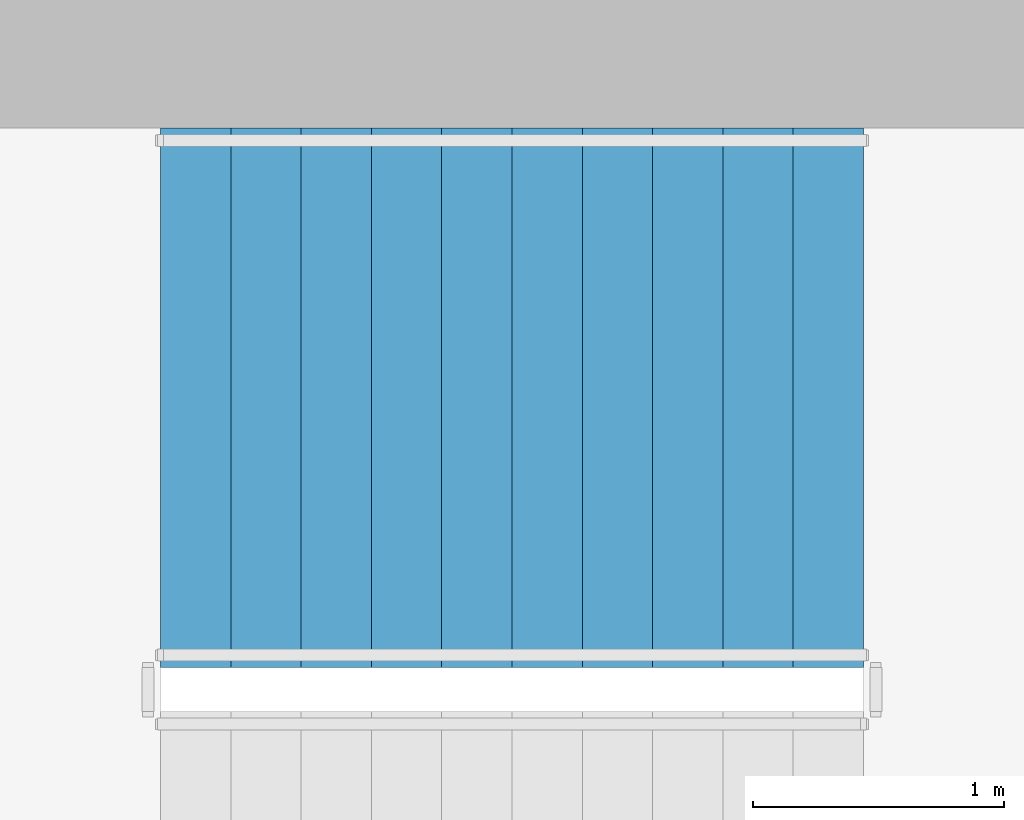
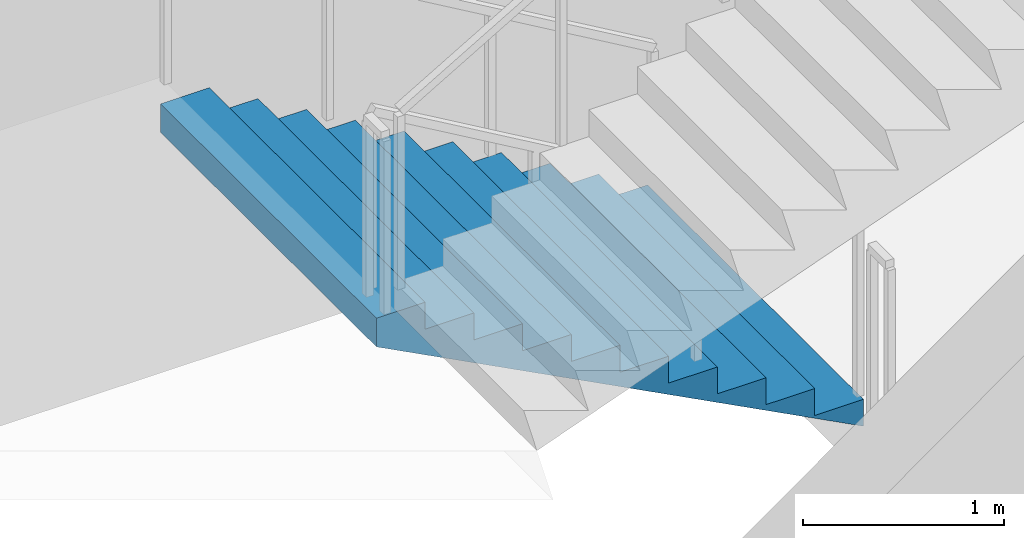
# One storey, part 12 of 20: 1 stair flight, 1 element without a shape of its own.
"""IFC4 building model written with IfcOpenShell, lengths in metres."""

from ifc_helpers import new_model, si_unit, direction, frame, origin, place, context, subcontext, project, spatial, triangles, material, type_object, element, aggregate, save


model = new_model("IFC4")

# Units and contexts
model_context = context("Model", 3, precision=1e-05, world=origin(), true_north=direction((0.0, 1.0)))
body_context = subcontext(model_context, "Body", "Model", "MODEL_VIEW")
ifc_project = project(units=[si_unit("LENGTHUNIT", "METRE"), si_unit("AREAUNIT", "SQUARE_METRE"), si_unit("VOLUMEUNIT", "CUBIC_METRE"), si_unit("PLANEANGLEUNIT", "RADIAN"), si_unit("MASSUNIT", "GRAM", prefix="KILO")], contexts=[model_context])

# Site, building, storey
site_placement = place(None, origin())
site = spatial("IfcSite", under=ifc_project, at=site_placement, CompositionType="ELEMENT")
building_placement = place(site_placement, origin())
building = spatial("IfcBuilding", under=site, at=building_placement, Name="Cypress Arch Tower", CompositionType="ELEMENT")
storey_placement = place(building_placement, frame((0.0, 0.0, 123.89990234375)))
storey = spatial("IfcBuildingStorey", under=building, at=storey_placement, Name="L26", CompositionType="ELEMENT", Elevation=123.89990234375)

# Stair, stair flight
ifc_material_1 = material(Name="Concrete C40/50", Category="concrete")
stair_type = type_object("IfcStairType", Name="Exit stair ES1636-215", PredefinedType="HALF_TURN_STAIR", material=ifc_material_1)
stair_placement = place(storey_placement, origin())
stair = element("IfcStair", 1, at=stair_placement, inside=storey, type_object=stair_type, Name="L26 Exit stair B", PredefinedType="HALF_TURN_STAIR")
ifc_material_2 = material(Name="Concrete C40/50", Category="concrete")
stair_flight_type = type_object("IfcStairFlightType", Name="Exit stair flight ES1636-215", PredefinedType="STRAIGHT", material=ifc_material_2)
stair_flight_placement = place(storey_placement, frame((-22.27490234375, 13.72509765625, 0.0), z_axis=(0.0, 0.0, 1.0), x_axis=(-1.0, 0.0, 0.0)))
stair_flight = element("IfcStairFlight", 2, at=stair_flight_placement, type_object=stair_flight_type, Name="B flight 1", NumberOfRisers=11, NumberOfTreads=10, PredefinedType="STRAIGHT", RiserHeight=0.163636364, TreadLength=0.28, context=body_context, shape_type="Tessellation", body=[
    triangles([(0.0, -1.074951171875, 0.0), (0.000244140625, -1.074951171875, 0.03271484375), (0.00048828125, -1.074951171875, 0.0654296875), (0.00048828125, -1.074951171875, 0.09814453125), (0.000244140625, -1.074951171875, 0.130859375), (0.0, -1.074951171875, 0.16357421875), (0.280029296875, -1.074951171875, 0.16357421875), (0.280029296875, -1.074951171875, 0.327392578125), (0.56005859375, -1.074951171875, 0.327392578125), (0.56005859375, -1.074951171875, 0.490966796875), (0.840087890625, -1.074951171875, 0.490966796875), (0.840087890625, -1.074951171875, 0.654541015625), (1.1201171875, -1.074951171875, 0.654541015625), (1.1201171875, -1.074951171875, 0.818115234375), (1.39990234375, -1.074951171875, 0.818115234375), (1.39990234375, -1.074951171875, 0.98193359375), (1.679931640625, -1.074951171875, 0.98193359375), (1.679931640625, -1.074951171875, 1.1455078125), (1.9599609375, -1.074951171875, 1.1455078125), (1.9599609375, -1.074951171875, 1.30908203125), (2.239990234375, -1.074951171875, 1.30908203125), (2.239990234375, -1.074951171875, 1.47265625), (2.52001953125, -1.074951171875, 1.47265625), (2.52001953125, -1.074951171875, 1.636474609375), (2.800048828125, -1.074951171875, 1.636474609375), (2.7998046875, -1.074951171875, 1.601806640625), (2.799560546875, -1.074951171875, 1.56689453125), (2.799560546875, -1.074951171875, 1.5322265625), (2.7998046875, -1.074951171875, 1.497314453125), (2.800048828125, -1.074951171875, 1.462646484375), (2.800048828125, 1.074951171875, 1.462646484375), (2.7998046875, 1.074951171875, 1.497314453125), (2.799560546875, 1.074951171875, 1.5322265625), (2.799560546875, 1.074951171875, 1.56689453125), (2.7998046875, 1.074951171875, 1.601806640625), (2.800048828125, 1.074951171875, 1.636474609375), (2.52001953125, 1.074951171875, 1.636474609375), (2.52001953125, 1.074951171875, 1.47265625), (2.239990234375, 1.074951171875, 1.47265625), (2.239990234375, 1.074951171875, 1.30908203125), (1.9599609375, 1.074951171875, 1.30908203125), (1.9599609375, 1.074951171875, 1.1455078125), (1.679931640625, 1.074951171875, 1.1455078125), (1.679931640625, 1.074951171875, 0.98193359375), (1.39990234375, 1.074951171875, 0.98193359375), (1.39990234375, 1.074951171875, 0.818115234375), (1.1201171875, 1.074951171875, 0.818115234375), (1.1201171875, 1.074951171875, 0.654541015625), (0.840087890625, 1.074951171875, 0.654541015625), (0.840087890625, 1.074951171875, 0.490966796875), (0.56005859375, 1.074951171875, 0.490966796875), (0.56005859375, 1.074951171875, 0.327392578125), (0.280029296875, 1.074951171875, 0.327392578125), (0.280029296875, 1.074951171875, 0.16357421875), (0.0, 1.074951171875, 0.16357421875), (0.000244140625, 1.074951171875, 0.130859375), (0.00048828125, 1.074951171875, 0.09814453125), (0.00048828125, 1.074951171875, 0.0654296875), (0.000244140625, 1.074951171875, 0.03271484375), (0.0, 1.074951171875, 0.0), (2.7998046875, 0.0, 1.497314453125), (2.800048828125, 0.0, 1.462646484375), (2.799560546875, 0.0, 1.5322265625), (2.799560546875, 0.0, 1.56689453125), (2.7998046875, 0.0, 1.601806640625), (2.800048828125, 0.0, 1.636474609375), (2.52001953125, 0.0, 1.636474609375), (2.52001953125, 0.0, 1.47265625), (2.239990234375, 0.0, 1.47265625), (2.239990234375, 0.0, 1.30908203125), (1.9599609375, 0.0, 1.30908203125), (1.9599609375, 0.0, 1.1455078125), (1.679931640625, 0.0, 1.1455078125), (1.679931640625, 0.0, 0.98193359375), (1.39990234375, 0.0, 0.98193359375), (1.39990234375, 0.0, 0.818115234375), (1.1201171875, 0.0, 0.818115234375), (1.1201171875, 0.0, 0.654541015625), (0.840087890625, 0.0, 0.654541015625), (0.840087890625, 0.0, 0.490966796875), (0.56005859375, 0.0, 0.490966796875), (0.56005859375, 0.0, 0.327392578125), (0.280029296875, 0.0, 0.327392578125), (0.280029296875, 0.0, 0.16357421875), (0.0, 0.0, 0.16357421875), (0.000244140625, 0.0, 0.130859375), (0.00048828125, 0.0, 0.09814453125), (0.00048828125, 0.0, 0.0654296875), (0.000244140625, 0.0, 0.03271484375), (0.0, 0.0, 0.0)], [[30, 29, 24], [29, 28, 24], [28, 27, 24], [27, 26, 24], [26, 25, 24], [17, 16, 15], [9, 8, 7], [15, 14, 13], [23, 22, 21], [21, 20, 19], [19, 18, 17], [13, 12, 11], [11, 10, 9], [6, 5, 7], [5, 4, 7], [4, 3, 7], [3, 2, 7], [2, 1, 7], [30, 24, 23], [30, 23, 21], [30, 21, 19], [30, 19, 17], [30, 17, 15], [30, 15, 13], [30, 13, 11], [30, 11, 9], [30, 9, 7], [30, 7, 1], [31, 37, 32], [32, 37, 33], [33, 37, 34], [34, 37, 35], [35, 37, 36], [44, 46, 45], [52, 54, 53], [46, 48, 47], [38, 40, 39], [40, 42, 41], [42, 44, 43], [48, 50, 49], [50, 52, 51], [55, 54, 56], [56, 54, 57], [57, 54, 58], [58, 54, 59], [59, 54, 60], [31, 38, 37], [31, 40, 38], [31, 42, 40], [31, 44, 42], [31, 46, 44], [31, 48, 46], [31, 50, 48], [31, 52, 50], [31, 54, 52], [31, 60, 54], [62, 61, 29], [62, 29, 30], [31, 32, 61], [31, 61, 62], [61, 63, 28], [61, 28, 29], [32, 33, 63], [32, 63, 61], [63, 64, 27], [63, 27, 28], [33, 34, 64], [33, 64, 63], [64, 65, 26], [64, 26, 27], [34, 35, 65], [34, 65, 64], [65, 66, 25], [65, 25, 26], [35, 36, 66], [35, 66, 65], [66, 67, 24], [66, 24, 25], [36, 37, 67], [36, 67, 66], [67, 68, 23], [67, 23, 24], [37, 38, 68], [37, 68, 67], [68, 69, 22], [68, 22, 23], [38, 39, 69], [38, 69, 68], [69, 70, 21], [69, 21, 22], [39, 40, 70], [39, 70, 69], [70, 71, 20], [70, 20, 21], [40, 41, 71], [40, 71, 70], [71, 72, 19], [71, 19, 20], [41, 42, 72], [41, 72, 71], [72, 73, 18], [72, 18, 19], [42, 43, 73], [42, 73, 72], [73, 74, 17], [73, 17, 18], [43, 44, 74], [43, 74, 73], [74, 75, 16], [74, 16, 17], [44, 45, 75], [44, 75, 74], [75, 76, 15], [75, 15, 16], [45, 46, 76], [45, 76, 75], [76, 77, 14], [76, 14, 15], [46, 47, 77], [46, 77, 76], [77, 78, 13], [77, 13, 14], [47, 48, 78], [47, 78, 77], [78, 79, 12], [78, 12, 13], [48, 49, 79], [48, 79, 78], [79, 80, 11], [79, 11, 12], [49, 50, 80], [49, 80, 79], [80, 81, 10], [80, 10, 11], [50, 51, 81], [50, 81, 80], [81, 82, 9], [81, 9, 10], [51, 52, 82], [51, 82, 81], [82, 83, 8], [82, 8, 9], [52, 53, 83], [52, 83, 82], [83, 84, 7], [83, 7, 8], [53, 54, 84], [53, 84, 83], [84, 85, 6], [84, 6, 7], [54, 55, 85], [54, 85, 84], [85, 86, 5], [85, 5, 6], [55, 56, 86], [55, 86, 85], [86, 87, 4], [86, 4, 5], [56, 57, 87], [56, 87, 86], [87, 88, 3], [87, 3, 4], [57, 58, 88], [57, 88, 87], [88, 89, 2], [88, 2, 3], [58, 59, 89], [58, 89, 88], [89, 90, 1], [89, 1, 2], [59, 60, 90], [59, 90, 89], [90, 62, 30], [90, 30, 1], [60, 31, 62], [60, 62, 90]], closed=True),
])
aggregate(stair, [stair_flight])

save(model, "model.ifc")
